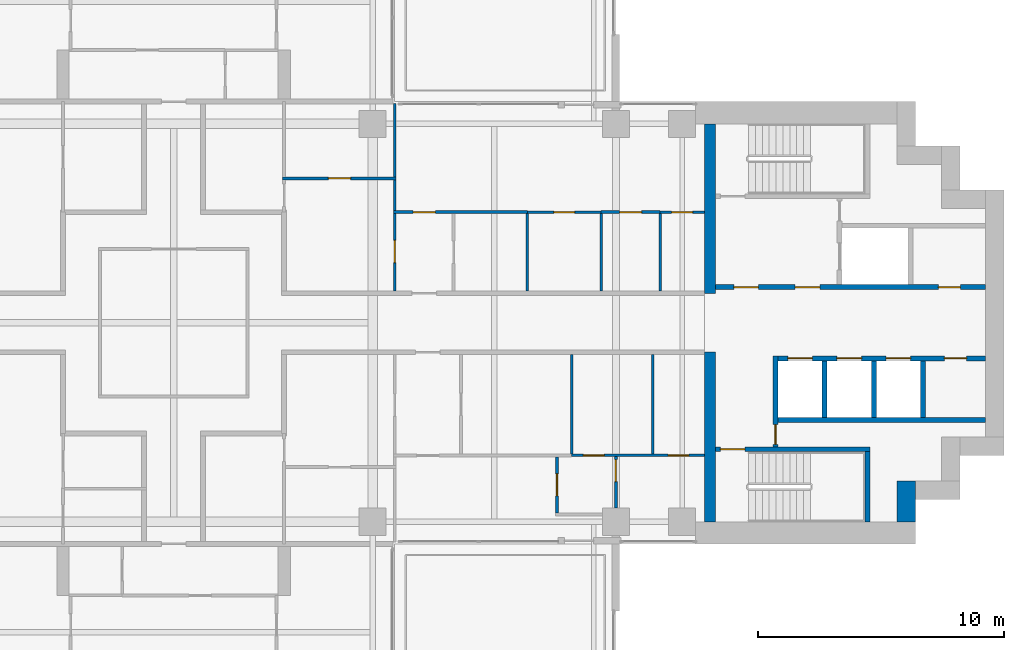
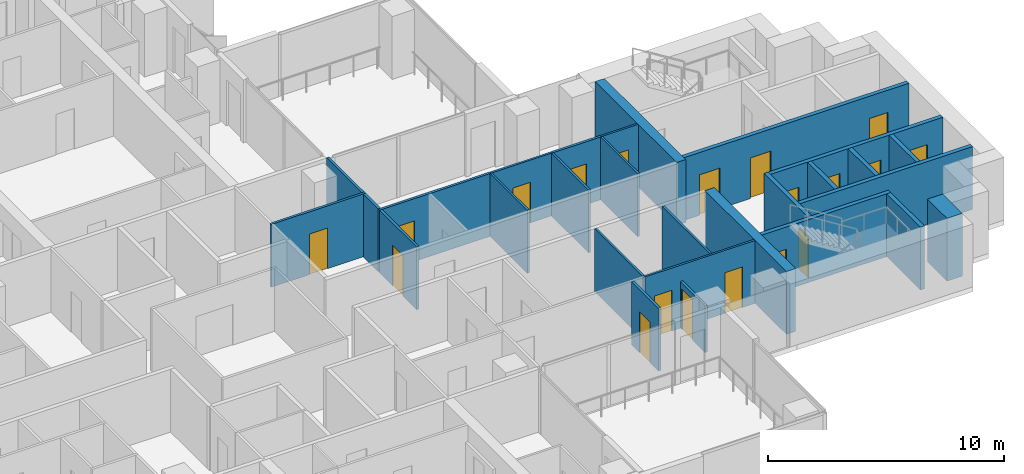
# One storey, part 12 of 19: 26 walls, 19 doors, 19 openings.
"""IFC4 building model written with IfcOpenShell, lengths in metres."""

from ifc_helpers import new_model, si_unit, direction, frame, frame_2d, origin, place, context, subcontext, project, spatial, rectangle, extrude, material, layer, layer_set, type_object, element, fill, save


model = new_model("IFC4")

# Units and contexts
model_context = context("Model", 3, precision=1e-05, world=origin(), true_north=direction((0.0, 1.0)))
body_context = subcontext(model_context, "Body", "Model", "MODEL_VIEW")
ifc_project = project(units=[si_unit("LENGTHUNIT", "METRE"), si_unit("AREAUNIT", "SQUARE_METRE"), si_unit("VOLUMEUNIT", "CUBIC_METRE"), si_unit("PLANEANGLEUNIT", "RADIAN"), si_unit("MASSUNIT", "GRAM", prefix="KILO")], contexts=[model_context])

# Site, building, storey
site_placement = place(None, origin())
site = spatial("IfcSite", under=ifc_project, at=site_placement, CompositionType="ELEMENT")
building_placement = place(site_placement, origin())
building = spatial("IfcBuilding", under=site, at=building_placement, Name="Perihelion Cross Residences", CompositionType="ELEMENT")
storey_placement = place(building_placement, frame((0.0, 0.0, 112.89990234375)))
storey = spatial("IfcBuildingStorey", under=building, at=storey_placement, Name="L26", CompositionType="ELEMENT", Elevation=112.89990234375)

# Walls
ifc_material_1 = material(Name="Concrete C60/75", Category="concrete")
ifc_layer_1 = layer(ifc_material_1, 0.449951171875)
ifc_layer_set_1 = layer_set([ifc_layer_1], Name="Core wall, inner 450")
wall_type_1 = type_object("IfcWallType", Name="Core wall, inner 450", PredefinedType="SHEAR", material=ifc_layer_set_1)
for number, where, z_axis, x_axis, name in (
    (1, (21.824951171875, -8.10009765625, 0.0), (0.0, 0.0, 1.0), (0.0, 1.0, 0.0), "East core core wall, inner"),
    (2, (21.824951171875, 1.199951171875, 0.0), (0.0, 0.0, 1.0), (0.0, 1.0, 0.0), "East core core wall, inner"),
):
    element("IfcWall", number, at=place(storey_placement, frame(where, z_axis=z_axis, x_axis=x_axis)), inside=storey, type_object=wall_type_1, Name=name, PredefinedType="SHEAR", context=body_context, shape_type="SweptSolid", body=[
        extrude(rectangle(XDim=6.900146484375, YDim=0.449951171875, at=frame_2d((3.4501953125, 0.0))), origin(), (0.0, 0.0, 1.0), 3.25),
    ])
ifc_material_2 = material(Name="Concrete C60/75", Category="concrete")
ifc_layer_2 = layer(ifc_material_2, 0.75)
ifc_layer_set_2 = layer_set([ifc_layer_2], Name="Core wall, outer 750")
wall_type_2 = type_object("IfcWallType", Name="Core wall, outer 750", PredefinedType="SHEAR", material=ifc_layer_set_2)
wall_1_placement = place(storey_placement, frame((29.824951171875, -8.10009765625, 0.0), z_axis=(0.0, 0.0, 1.0), x_axis=(0.0, 1.0, 0.0)))
element("IfcWall", 3, at=wall_1_placement, inside=storey, type_object=wall_type_2, Name="East core core wall, outer", PredefinedType="SHEAR", context=body_context, shape_type="SweptSolid", body=[
    extrude(rectangle(XDim=1.650146484375, YDim=0.75, at=frame_2d((0.8251953125, 0.0))), origin(), (0.0, 0.0, 1.0), 3.25),
])

# Wall, opening, door
ifc_material_3 = material(Name="Concrete C50/60", Category="concrete")
ifc_layer_3 = layer(ifc_material_3, 0.199951171875)
ifc_layer_set_3 = layer_set([ifc_layer_3], Name="Lobby wall 200")
wall_type_3 = type_object("IfcWallType", Name="Lobby wall 200", PredefinedType="SOLIDWALL", material=ifc_layer_set_3)
wall_2_placement = place(storey_placement, frame((24.5, -5.050048828125, 0.0), z_axis=(0.0, 0.0, 1.0), x_axis=(0.0, 1.0, 0.0)))
wall_2 = element("IfcWall", 4, at=wall_2_placement, inside=storey, type_object=wall_type_3, Name="East core lobby wall", PredefinedType="SOLIDWALL", context=body_context, shape_type="SweptSolid", body=[
    extrude(rectangle(XDim=3.699951171875, YDim=0.199951171875, at=frame_2d((1.85009765625, 0.0))), origin(), (0.0, 0.0, 1.0), 3.25),
])
opening_1_placement = place(wall_2_placement, frame((0.10009765625, 0.0, 0.0)))
opening_1 = element("IfcOpeningElement", 5, at=opening_1_placement, cuts=wall_2, Name="Opening L26.C08", PredefinedType="OPENING", context=body_context, shape_type="SweptSolid", body=[
    extrude(rectangle(XDim=0.800048828125, YDim=2.10009765625, at=frame_2d((0.39990234375, 1.050048828125))), frame((0.0, 0.10986328125, 0.0), z_axis=(0.0, -1.0, 0.0), x_axis=(1.0, 0.0, 0.0)), (0.0, 0.0, 1.0), 0.219970703125),
])
ifc_material_4 = material(Name="Steel, powder coated", Category="steel")
door_type_1 = type_object("IfcDoorType", Name="Riser door 800", OperationType="SINGLE_SWING_LEFT", PredefinedType="DOOR", material=ifc_material_4)
door_1_placement = place(opening_1_placement, origin())
door_1 = element("IfcDoor", 6, at=door_1_placement, inside=storey, type_object=door_type_1, Name="East core riser door", OperationType="SINGLE_SWING_LEFT", OverallHeight=2.10009765625, OverallWidth=0.800048828125, PredefinedType="DOOR", context=body_context, shape_type="SweptSolid", body=[
    extrude(rectangle(XDim=0.800048828125, YDim=2.10009765625, at=frame_2d((0.39990234375, 1.050048828125))), frame((0.0, 0.02490234375, 0.0), z_axis=(0.0, -1.0, 0.0), x_axis=(1.0, 0.0, 0.0)), (0.0, 0.0, 1.0), 0.050048828125),
])
fill(opening_1, door_1)

ifc_material_5 = material(Name="Plasterboard partition")
ifc_layer_4 = layer(ifc_material_5, 0.1201171875)
ifc_layer_set_4 = layer_set([ifc_layer_4], Name="Partition wall 120")
wall_type_4 = type_object("IfcWallType", Name="Partition wall 120", PredefinedType="PARTITIONING", material=ifc_layer_set_4)
wall_3_placement = place(storey_placement, frame((8.93994140625, 4.5, 0.0), z_axis=(0.0, 0.0, 1.0), x_axis=(1.0, 0.0, 0.0)))
wall_3 = element("IfcWall", 7, at=wall_3_placement, inside=storey, type_object=wall_type_4, Name="Partition L26 W024", PredefinedType="PARTITIONING", context=body_context, shape_type="SweptSolid", body=[
    extrude(rectangle(XDim=5.4599609375, YDim=0.1201171875, at=frame_2d((2.72998046875, 0.0))), origin(), (0.0, 0.0, 1.0), 3.25),
])
opening_2_placement = place(wall_3_placement, frame((0.81005859375, 0.0, 0.0)))
opening_2 = element("IfcOpeningElement", 8, at=opening_2_placement, cuts=wall_3, Name="Opening L26.A08", PredefinedType="OPENING", context=body_context, shape_type="SweptSolid", body=[
    extrude(rectangle(XDim=0.89990234375, YDim=2.10009765625, at=frame_2d((0.449951171875, 1.050048828125))), frame((0.0, 0.070068359375, 0.0), z_axis=(0.0, -1.0, 0.0), x_axis=(1.0, 0.0, 0.0)), (0.0, 0.0, 1.0), 0.14013671875),
])
ifc_material_6 = material(Name="Timber door leaf", Category="wood")
door_type_2 = type_object("IfcDoorType", Name="Interior room door 900 x 2100", OperationType="SINGLE_SWING_LEFT", PredefinedType="DOOR", material=ifc_material_6)
door_2_placement = place(opening_2_placement, origin())
door_2 = element("IfcDoor", 9, at=door_2_placement, inside=storey, type_object=door_type_2, Name="Door L26.A08", OperationType="SINGLE_SWING_RIGHT", OverallHeight=2.10009765625, OverallWidth=0.89990234375, PredefinedType="DOOR", context=body_context, shape_type="SweptSolid", body=[
    extrude(rectangle(XDim=0.89990234375, YDim=2.10009765625, at=frame_2d((0.449951171875, 1.050048828125))), frame((0.0, 0.02490234375, 0.0), z_axis=(0.0, -1.0, 0.0), x_axis=(1.0, 0.0, 0.0)), (0.0, 0.0, 1.0), 0.050048828125),
])
fill(opening_2, door_2)

wall_4_placement = place(storey_placement, frame((9.0, 1.300048828125, 0.0), z_axis=(0.0, 0.0, 1.0), x_axis=(0.0, 1.0, 0.0)))
wall_4 = element("IfcWall", 10, at=wall_4_placement, inside=storey, type_object=wall_type_4, Name="Partition L26 W025", PredefinedType="PARTITIONING", context=body_context, shape_type="SweptSolid", body=[
    extrude(rectangle(XDim=7.619873046875, YDim=0.1201171875, at=frame_2d((3.81005859375, 0.0))), origin(), (0.0, 0.0, 1.0), 3.25),
])
opening_3_placement = place(wall_4_placement, frame((1.14990234375, 0.0, 0.0)))
opening_3 = element("IfcOpeningElement", 11, at=opening_3_placement, cuts=wall_4, Name="Opening L26.A04", PredefinedType="OPENING", context=body_context, shape_type="SweptSolid", body=[
    extrude(rectangle(XDim=0.89990234375, YDim=2.10009765625, at=frame_2d((0.449951171875, 1.050048828125))), frame((0.0, 0.070068359375, 0.0), z_axis=(0.0, -1.0, 0.0), x_axis=(1.0, 0.0, 0.0)), (0.0, 0.0, 1.0), 0.14013671875),
])
door_3_placement = place(opening_3_placement, origin())
door_3 = element("IfcDoor", 12, at=door_3_placement, inside=storey, type_object=door_type_2, Name="Door L26.A04", OperationType="SINGLE_SWING_RIGHT", OverallHeight=2.10009765625, OverallWidth=0.89990234375, PredefinedType="DOOR", context=body_context, shape_type="SweptSolid", body=[
    extrude(rectangle(XDim=0.89990234375, YDim=2.10009765625, at=frame_2d((0.449951171875, 1.050048828125))), frame((0.0, 0.02490234375, 0.0), z_axis=(0.0, -1.0, 0.0), x_axis=(1.0, 0.0, 0.0)), (0.0, 0.0, 1.0), 0.050048828125),
])
fill(opening_3, door_3)

wall_5_placement = place(storey_placement, frame((17.39990234375, 4.5, 0.0), z_axis=(0.0, 0.0, 1.0), x_axis=(1.0, 0.0, 0.0)))
wall_5 = element("IfcWall", 13, at=wall_5_placement, inside=storey, type_object=wall_type_4, Name="Partition L26 W030", PredefinedType="PARTITIONING", context=body_context, shape_type="SweptSolid", body=[
    extrude(rectangle(XDim=2.400146484375, YDim=0.1201171875, at=frame_2d((1.2001953125, 0.0))), origin(), (0.0, 0.0, 1.0), 3.25),
])
opening_4_placement = place(wall_5_placement, frame((0.75, 0.0, 0.0)))
opening_4 = element("IfcOpeningElement", 14, at=opening_4_placement, cuts=wall_5, Name="Opening L26.A09", PredefinedType="OPENING", context=body_context, shape_type="SweptSolid", body=[
    extrude(rectangle(XDim=0.89990234375, YDim=2.10009765625, at=frame_2d((0.449951171875, 1.050048828125))), frame((0.0, 0.070068359375, 0.0), z_axis=(0.0, -1.0, 0.0), x_axis=(1.0, 0.0, 0.0)), (0.0, 0.0, 1.0), 0.14013671875),
])
door_4_placement = place(opening_4_placement, origin())
door_4 = element("IfcDoor", 15, at=door_4_placement, inside=storey, type_object=door_type_2, Name="Door L26.A09", OperationType="SINGLE_SWING_RIGHT", OverallHeight=2.10009765625, OverallWidth=0.89990234375, PredefinedType="DOOR", context=body_context, shape_type="SweptSolid", body=[
    extrude(rectangle(XDim=0.89990234375, YDim=2.10009765625, at=frame_2d((0.449951171875, 1.050048828125))), frame((0.0, 0.02490234375, 0.0), z_axis=(0.0, -1.0, 0.0), x_axis=(1.0, 0.0, 0.0)), (0.0, 0.0, 1.0), 0.050048828125),
])
fill(opening_4, door_4)

wall_6_placement = place(storey_placement, frame((4.43994140625, 5.8798828125, 0.0), z_axis=(0.0, 0.0, 1.0), x_axis=(1.0, 0.0, 0.0)))
wall_6 = element("IfcWall", 16, at=wall_6_placement, inside=storey, type_object=wall_type_4, Name="Partition L26 W032", PredefinedType="PARTITIONING", context=body_context, shape_type="SweptSolid", body=[
    extrude(rectangle(XDim=4.6201171875, YDim=0.1201171875, at=frame_2d((2.31005859375, 0.0))), origin(), (0.0, 0.0, 1.0), 3.25),
])
opening_5_placement = place(wall_6_placement, frame((1.860107421875, 0.0, 0.0)))
opening_5 = element("IfcOpeningElement", 17, at=opening_5_placement, cuts=wall_6, Name="Opening L26.A06", PredefinedType="OPENING", context=body_context, shape_type="SweptSolid", body=[
    extrude(rectangle(XDim=0.89990234375, YDim=2.10009765625, at=frame_2d((0.449951171875, 1.050048828125))), frame((0.0, 0.070068359375, 0.0), z_axis=(0.0, -1.0, 0.0), x_axis=(1.0, 0.0, 0.0)), (0.0, 0.0, 1.0), 0.14013671875),
])
door_5_placement = place(opening_5_placement, origin())
door_5 = element("IfcDoor", 18, at=door_5_placement, inside=storey, type_object=door_type_2, Name="Door L26.A06", OperationType="SINGLE_SWING_RIGHT", OverallHeight=2.10009765625, OverallWidth=0.89990234375, PredefinedType="DOOR", context=body_context, shape_type="SweptSolid", body=[
    extrude(rectangle(XDim=0.89990234375, YDim=2.10009765625, at=frame_2d((0.449951171875, 1.050048828125))), frame((0.0, 0.02490234375, 0.0), z_axis=(0.0, -1.0, 0.0), x_axis=(1.0, 0.0, 0.0)), (0.0, 0.0, 1.0), 0.050048828125),
])
fill(opening_5, door_5)

wall_7_placement = place(storey_placement, frame((15.60009765625, -5.4599609375, 0.0), z_axis=(0.0, 0.0, 1.0), x_axis=(0.0, -1.0, 0.0)))
wall_7 = element("IfcWall", 19, at=wall_7_placement, inside=storey, type_object=wall_type_4, Name="Partition L26 W040", PredefinedType="PARTITIONING", context=body_context, shape_type="SweptSolid", body=[
    extrude(rectangle(XDim=2.280029296875, YDim=0.1201171875, at=frame_2d((1.14013671875, 0.0))), origin(), (0.0, 0.0, 1.0), 3.25),
])
opening_6_placement = place(wall_7_placement, frame((0.68994140625, 0.0, 0.0)))
opening_6 = element("IfcOpeningElement", 20, at=opening_6_placement, cuts=wall_7, Name="Opening L26.A13", PredefinedType="OPENING", context=body_context, shape_type="SweptSolid", body=[
    extrude(rectangle(XDim=0.89990234375, YDim=2.10009765625, at=frame_2d((0.449951171875, 1.050048828125))), frame((0.0, 0.070068359375, 0.0), z_axis=(0.0, -1.0, 0.0), x_axis=(1.0, 0.0, 0.0)), (0.0, 0.0, 1.0), 0.14013671875),
])
door_6_placement = place(opening_6_placement, origin())
door_6 = element("IfcDoor", 21, at=door_6_placement, inside=storey, type_object=door_type_2, Name="Door L26.A13", OperationType="SINGLE_SWING_LEFT", OverallHeight=2.10009765625, OverallWidth=0.89990234375, PredefinedType="DOOR", context=body_context, shape_type="SweptSolid", body=[
    extrude(rectangle(XDim=0.89990234375, YDim=2.10009765625, at=frame_2d((0.449951171875, 1.050048828125))), frame((0.0, 0.02490234375, 0.0), z_axis=(0.0, -1.0, 0.0), x_axis=(1.0, 0.0, 0.0)), (0.0, 0.0, 1.0), 0.050048828125),
])
fill(opening_6, door_6)

wall_8_placement = place(storey_placement, frame((18.0, -5.449951171875, 0.0), z_axis=(0.0, 0.0, 1.0), x_axis=(0.0, -1.0, 0.0)))
wall_8 = element("IfcWall", 22, at=wall_8_placement, inside=storey, type_object=wall_type_4, Name="Partition L26 W042", PredefinedType="PARTITIONING", context=body_context, shape_type="SweptSolid", body=[
    extrude(rectangle(XDim=2.10009765625, YDim=0.1201171875, at=frame_2d((1.050048828125, 0.0))), origin(), (0.0, 0.0, 1.0), 2.4140625),
])
opening_7_placement = place(wall_8_placement, frame((0.1201171875, 0.0, 0.0)))
opening_7 = element("IfcOpeningElement", 23, at=opening_7_placement, cuts=wall_8, Name="Opening L26.A16", PredefinedType="OPENING", context=body_context, shape_type="SweptSolid", body=[
    extrude(rectangle(XDim=0.89990234375, YDim=2.10009765625, at=frame_2d((0.449951171875, 1.050048828125))), frame((0.0, 0.070068359375, 0.0), z_axis=(0.0, -1.0, 0.0), x_axis=(1.0, 0.0, 0.0)), (0.0, 0.0, 1.0), 0.14013671875),
])
door_7_placement = place(opening_7_placement, origin())
door_7 = element("IfcDoor", 24, at=door_7_placement, inside=storey, type_object=door_type_2, Name="Door L26.A16", OperationType="SINGLE_SWING_LEFT", OverallHeight=2.10009765625, OverallWidth=0.89990234375, PredefinedType="DOOR", context=body_context, shape_type="SweptSolid", body=[
    extrude(rectangle(XDim=0.89990234375, YDim=2.10009765625, at=frame_2d((0.449951171875, 1.050048828125))), frame((0.0, 0.02490234375, 0.0), z_axis=(0.0, -1.0, 0.0), x_axis=(1.0, 0.0, 0.0)), (0.0, 0.0, 1.0), 0.050048828125),
])
fill(opening_7, door_7)

# Wall, openings, doors
ifc_material_7 = material(Name="Concrete C50/60", Category="concrete")
ifc_layer_5 = layer(ifc_material_7, 0.199951171875)
ifc_layer_set_5 = layer_set([ifc_layer_5], Name="Shaft wall 200")
wall_type_5 = type_object("IfcWallType", Name="Shaft wall 200", PredefinedType="SOLIDWALL", material=ifc_layer_set_5)
wall_9_placement = place(storey_placement, frame((22.050048828125, 1.449951171875, 0.0), z_axis=(0.0, 0.0, 1.0), x_axis=(1.0, 0.0, 0.0)))
wall_9 = element("IfcWall", 25, at=wall_9_placement, inside=storey, type_object=wall_type_5, Name="East core shaft wall", PredefinedType="SOLIDWALL", context=body_context, shape_type="SweptSolid", body=[
    extrude(rectangle(XDim=11.0, YDim=0.199951171875, at=frame_2d((5.5, 0.0))), origin(), (0.0, 0.0, 1.0), 3.25),
])
opening_8_placement = place(wall_9_placement, frame((0.75, 0.0, 0.0)))
opening_8 = element("IfcOpeningElement", 26, at=opening_8_placement, cuts=wall_9, Name="Opening L26.C07", PredefinedType="OPENING", context=body_context, shape_type="SweptSolid", body=[
    extrude(rectangle(XDim=1.0, YDim=2.10009765625, at=frame_2d((0.5, 1.050048828125))), frame((0.0, 0.10986328125, 0.0), z_axis=(0.0, -1.0, 0.0), x_axis=(1.0, 0.0, 0.0)), (0.0, 0.0, 1.0), 0.219970703125),
])
opening_9_placement = place(wall_9_placement, frame((3.25, 0.0, 0.0)))
opening_9 = element("IfcOpeningElement", 27, at=opening_9_placement, cuts=wall_9, Name="Opening L26.C09", PredefinedType="OPENING", context=body_context, shape_type="SweptSolid", body=[
    extrude(rectangle(XDim=1.0, YDim=2.10009765625, at=frame_2d((0.5, 1.050048828125))), frame((0.0, 0.10986328125, 0.0), z_axis=(0.0, -1.0, 0.0), x_axis=(1.0, 0.0, 0.0)), (0.0, 0.0, 1.0), 0.219970703125),
])
opening_10_placement = place(wall_9_placement, frame((9.074951171875, 0.0, 0.0)))
opening_10 = element("IfcOpeningElement", 28, at=opening_10_placement, cuts=wall_9, Name="Opening L26.C11", PredefinedType="OPENING", context=body_context, shape_type="SweptSolid", body=[
    extrude(rectangle(XDim=0.89990234375, YDim=2.10009765625, at=frame_2d((0.449951171875, 1.050048828125))), frame((0.0, 0.10986328125, 0.0), z_axis=(0.0, -1.0, 0.0), x_axis=(1.0, 0.0, 0.0)), (0.0, 0.0, 1.0), 0.219970703125),
])
ifc_material_8 = material(Name="Steel, powder coated", Category="steel")
door_type_3 = type_object("IfcDoorType", Name="Lobby door 1000", OperationType="SINGLE_SWING_LEFT", PredefinedType="DOOR", material=ifc_material_8)
door_8_placement = place(opening_8_placement, origin())
door_8 = element("IfcDoor", 29, at=door_8_placement, inside=storey, type_object=door_type_3, Name="East core firefighting lobby door", OperationType="SINGLE_SWING_LEFT", OverallHeight=2.10009765625, OverallWidth=1.0, PredefinedType="DOOR", context=body_context, shape_type="SweptSolid", body=[
    extrude(rectangle(XDim=1.0, YDim=2.10009765625, at=frame_2d((0.5, 1.050048828125))), frame((0.0, 0.02490234375, 0.0), z_axis=(0.0, -1.0, 0.0), x_axis=(1.0, 0.0, 0.0)), (0.0, 0.0, 1.0), 0.050048828125),
])
fill(opening_8, door_8)
door_9_placement = place(opening_9_placement, origin())
door_9 = element("IfcDoor", 30, at=door_9_placement, inside=storey, type_object=door_type_3, Name="East core firefighting lobby door", OperationType="SINGLE_SWING_LEFT", OverallHeight=2.10009765625, OverallWidth=1.0, PredefinedType="DOOR", context=body_context, shape_type="SweptSolid", body=[
    extrude(rectangle(XDim=1.0, YDim=2.10009765625, at=frame_2d((0.5, 1.050048828125))), frame((0.0, 0.02490234375, 0.0), z_axis=(0.0, -1.0, 0.0), x_axis=(1.0, 0.0, 0.0)), (0.0, 0.0, 1.0), 0.050048828125),
])
fill(opening_9, door_9)
ifc_material_9 = material(Name="Steel, powder coated", Category="steel")
door_type_4 = type_object("IfcDoorType", Name="Service room door 900", OperationType="SINGLE_SWING_LEFT", PredefinedType="DOOR", material=ifc_material_9)
door_10_placement = place(opening_10_placement, origin())
door_10 = element("IfcDoor", 31, at=door_10_placement, inside=storey, type_object=door_type_4, Name="East core service room door", OperationType="SINGLE_SWING_LEFT", OverallHeight=2.10009765625, OverallWidth=0.89990234375, PredefinedType="DOOR", context=body_context, shape_type="SweptSolid", body=[
    extrude(rectangle(XDim=0.89990234375, YDim=2.10009765625, at=frame_2d((0.449951171875, 1.050048828125))), frame((0.0, 0.02490234375, 0.0), z_axis=(0.0, -1.0, 0.0), x_axis=(1.0, 0.0, 0.0)), (0.0, 0.0, 1.0), 0.050048828125),
])
fill(opening_10, door_10)

wall_10_placement = place(storey_placement, frame((24.60009765625, -1.449951171875, 0.0), z_axis=(0.0, 0.0, 1.0), x_axis=(1.0, 0.0, 0.0)))
wall_10 = element("IfcWall", 32, at=wall_10_placement, inside=storey, type_object=wall_type_5, Name="East core shaft wall", PredefinedType="SOLIDWALL", context=body_context, shape_type="SweptSolid", body=[
    extrude(rectangle(XDim=8.449951171875, YDim=0.199951171875, at=frame_2d((4.22509765625, 0.0))), origin(), (0.0, 0.0, 1.0), 3.25),
])
opening_11_placement = place(wall_10_placement, frame((0.39990234375, 0.0, 0.0)))
opening_11 = element("IfcOpeningElement", 33, at=opening_11_placement, cuts=wall_10, Name="Opening L26.C01", PredefinedType="OPENING", context=body_context, shape_type="SweptSolid", body=[
    extrude(rectangle(XDim=1.0, YDim=2.10009765625, at=frame_2d((0.5, 1.050048828125))), frame((0.0, 0.10986328125, 0.0), z_axis=(0.0, -1.0, 0.0), x_axis=(1.0, 0.0, 0.0)), (0.0, 0.0, 1.0), 0.219970703125),
])
opening_12_placement = place(wall_10_placement, frame((2.39990234375, 0.0, 0.0)))
opening_12 = element("IfcOpeningElement", 34, at=opening_12_placement, cuts=wall_10, Name="Opening L26.C03", PredefinedType="OPENING", context=body_context, shape_type="SweptSolid", body=[
    extrude(rectangle(XDim=1.0, YDim=2.10009765625, at=frame_2d((0.5, 1.050048828125))), frame((0.0, 0.10986328125, 0.0), z_axis=(0.0, -1.0, 0.0), x_axis=(1.0, 0.0, 0.0)), (0.0, 0.0, 1.0), 0.219970703125),
])
opening_13_placement = place(wall_10_placement, frame((4.39990234375, 0.0, 0.0)))
opening_13 = element("IfcOpeningElement", 35, at=opening_13_placement, cuts=wall_10, Name="Opening L26.C04", PredefinedType="OPENING", context=body_context, shape_type="SweptSolid", body=[
    extrude(rectangle(XDim=1.0, YDim=2.10009765625, at=frame_2d((0.5, 1.050048828125))), frame((0.0, 0.10986328125, 0.0), z_axis=(0.0, -1.0, 0.0), x_axis=(1.0, 0.0, 0.0)), (0.0, 0.0, 1.0), 0.219970703125),
])
opening_14_placement = place(wall_10_placement, frame((6.77490234375, 0.0, 0.0)))
opening_14 = element("IfcOpeningElement", 36, at=opening_14_placement, cuts=wall_10, Name="Opening L26.C12", PredefinedType="OPENING", context=body_context, shape_type="SweptSolid", body=[
    extrude(rectangle(XDim=0.89990234375, YDim=2.10009765625, at=frame_2d((0.449951171875, 1.050048828125))), frame((0.0, 0.10986328125, 0.0), z_axis=(0.0, -1.0, 0.0), x_axis=(1.0, 0.0, 0.0)), (0.0, 0.0, 1.0), 0.219970703125),
])
ifc_material_10 = material(Name="Stainless steel", Category="steel")
door_type_5 = type_object("IfcDoorType", Name="Landing door 1000", OperationType="DOUBLE_DOOR_SLIDING", PredefinedType="DOOR", material=ifc_material_10)
door_11_placement = place(opening_11_placement, origin())
door_11 = element("IfcDoor", 37, at=door_11_placement, inside=storey, type_object=door_type_5, Name="Landing door, East core high-rise lift 1", OperationType="DOUBLE_DOOR_SLIDING", OverallHeight=2.10009765625, OverallWidth=1.0, PredefinedType="DOOR", context=body_context, shape_type="SweptSolid", body=[
    extrude(rectangle(XDim=1.0, YDim=2.10009765625, at=frame_2d((0.5, 1.050048828125))), frame((0.0, 0.02490234375, 0.0), z_axis=(0.0, -1.0, 0.0), x_axis=(1.0, 0.0, 0.0)), (0.0, 0.0, 1.0), 0.050048828125),
])
fill(opening_11, door_11)
door_12_placement = place(opening_12_placement, origin())
door_12 = element("IfcDoor", 38, at=door_12_placement, inside=storey, type_object=door_type_5, Name="Landing door, East core high-rise lift 2", OperationType="DOUBLE_DOOR_SLIDING", OverallHeight=2.10009765625, OverallWidth=1.0, PredefinedType="DOOR", context=body_context, shape_type="SweptSolid", body=[
    extrude(rectangle(XDim=1.0, YDim=2.10009765625, at=frame_2d((0.5, 1.050048828125))), frame((0.0, 0.02490234375, 0.0), z_axis=(0.0, -1.0, 0.0), x_axis=(1.0, 0.0, 0.0)), (0.0, 0.0, 1.0), 0.050048828125),
])
fill(opening_12, door_12)
door_13_placement = place(opening_13_placement, origin())
door_13 = element("IfcDoor", 39, at=door_13_placement, inside=storey, type_object=door_type_5, Name="Landing door, East core high-rise lift 3", OperationType="DOUBLE_DOOR_SLIDING", OverallHeight=2.10009765625, OverallWidth=1.0, PredefinedType="DOOR", context=body_context, shape_type="SweptSolid", body=[
    extrude(rectangle(XDim=1.0, YDim=2.10009765625, at=frame_2d((0.5, 1.050048828125))), frame((0.0, 0.02490234375, 0.0), z_axis=(0.0, -1.0, 0.0), x_axis=(1.0, 0.0, 0.0)), (0.0, 0.0, 1.0), 0.050048828125),
])
fill(opening_13, door_13)
door_14_placement = place(opening_14_placement, origin())
door_14 = element("IfcDoor", 40, at=door_14_placement, inside=storey, type_object=door_type_4, Name="East core service room door", OperationType="SINGLE_SWING_LEFT", OverallHeight=2.10009765625, OverallWidth=0.89990234375, PredefinedType="DOOR", context=body_context, shape_type="SweptSolid", body=[
    extrude(rectangle(XDim=0.89990234375, YDim=2.10009765625, at=frame_2d((0.449951171875, 1.050048828125))), frame((0.0, 0.02490234375, 0.0), z_axis=(0.0, -1.0, 0.0), x_axis=(1.0, 0.0, 0.0)), (0.0, 0.0, 1.0), 0.050048828125),
])
fill(opening_14, door_14)

# Walls
wall_11_placement = place(storey_placement, frame((24.60009765625, -3.949951171875, 0.0), z_axis=(0.0, 0.0, 1.0), x_axis=(1.0, 0.0, 0.0)))
element("IfcWall", 41, at=wall_11_placement, inside=storey, type_object=wall_type_5, Name="East core shaft wall", PredefinedType="SOLIDWALL", context=body_context, shape_type="SweptSolid", body=[
    extrude(rectangle(XDim=8.449951171875, YDim=0.199951171875, at=frame_2d((4.22509765625, 0.0))), origin(), (0.0, 0.0, 1.0), 3.25),
])
for number, where, z_axis, x_axis, name in (
    (42, (26.5, -3.85009765625, 0.0), (0.0, 0.0, 1.0), (0.0, 1.0, 0.0), "East core shaft wall"),
    (43, (28.5, -3.85009765625, 0.0), (0.0, 0.0, 1.0), (0.0, 1.0, 0.0), "East core shaft wall"),
    (44, (30.5, -3.85009765625, 0.0), (0.0, 0.0, 1.0), (0.0, 1.0, 0.0), "East core shaft wall"),
):
    element("IfcWall", number, at=place(storey_placement, frame(where, z_axis=z_axis, x_axis=x_axis)), inside=storey, type_object=wall_type_5, Name=name, PredefinedType="SOLIDWALL", context=body_context, shape_type="SweptSolid", body=[
        extrude(rectangle(XDim=2.300048828125, YDim=0.199951171875, at=frame_2d((1.14990234375, 0.0))), origin(), (0.0, 0.0, 1.0), 3.25),
    ])

# Wall, opening, door
ifc_material_11 = material(Name="Concrete C50/60", Category="concrete")
ifc_layer_6 = layer(ifc_material_11, 0.199951171875)
ifc_layer_set_6 = layer_set([ifc_layer_6], Name="Stair wall 200")
wall_type_6 = type_object("IfcWallType", Name="Stair wall 200", PredefinedType="SOLIDWALL", material=ifc_layer_set_6)
wall_12_placement = place(storey_placement, frame((22.050048828125, -5.14990234375, 0.0), z_axis=(0.0, 0.0, 1.0), x_axis=(1.0, 0.0, 0.0)))
wall_12 = element("IfcWall", 45, at=wall_12_placement, inside=storey, type_object=wall_type_6, Name="East core stair wall", PredefinedType="SOLIDWALL", context=body_context, shape_type="SweptSolid", body=[
    extrude(rectangle(XDim=6.300048828125, YDim=0.199951171875, at=frame_2d((3.14990234375, 0.0))), origin(), (0.0, 0.0, 1.0), 3.25),
])
opening_15_placement = place(wall_12_placement, frame((0.199951171875, 0.0, 0.0)))
opening_15 = element("IfcOpeningElement", 46, at=opening_15_placement, cuts=wall_12, Name="Opening L26.C05", PredefinedType="OPENING", context=body_context, shape_type="SweptSolid", body=[
    extrude(rectangle(XDim=1.0, YDim=2.10009765625, at=frame_2d((0.5, 1.050048828125))), frame((0.0, 0.10986328125, 0.0), z_axis=(0.0, -1.0, 0.0), x_axis=(1.0, 0.0, 0.0)), (0.0, 0.0, 1.0), 0.219970703125),
])
ifc_material_12 = material(Name="Steel, powder coated", Category="steel")
door_type_6 = type_object("IfcDoorType", Name="Stair door 1000", OperationType="SINGLE_SWING_LEFT", PredefinedType="DOOR", material=ifc_material_12)
door_15_placement = place(opening_15_placement, origin())
door_15 = element("IfcDoor", 47, at=door_15_placement, inside=storey, type_object=door_type_6, Name="East core stair door", OperationType="SINGLE_SWING_LEFT", OverallHeight=2.10009765625, OverallWidth=1.0, PredefinedType="DOOR", context=body_context, shape_type="SweptSolid", body=[
    extrude(rectangle(XDim=1.0, YDim=2.10009765625, at=frame_2d((0.5, 1.050048828125))), frame((0.0, 0.02490234375, 0.0), z_axis=(0.0, -1.0, 0.0), x_axis=(1.0, 0.0, 0.0)), (0.0, 0.0, 1.0), 0.050048828125),
])
fill(opening_15, door_15)

# Walls
wall_13_placement = place(storey_placement, frame((28.25, -8.10009765625, 0.0), z_axis=(0.0, 0.0, 1.0), x_axis=(0.0, 1.0, 0.0)))
element("IfcWall", 48, at=wall_13_placement, inside=storey, type_object=wall_type_6, Name="East core stair wall", PredefinedType="SOLIDWALL", context=body_context, shape_type="SweptSolid", body=[
    extrude(rectangle(XDim=2.85009765625, YDim=0.199951171875, at=frame_2d((1.425048828125, 0.0))), origin(), (0.0, 0.0, 1.0), 3.25),
])
ifc_material_13 = material(Name="Plasterboard partition")
ifc_layer_7 = layer(ifc_material_13, 0.10009765625)
ifc_layer_set_7 = layer_set([ifc_layer_7], Name="Wet room wall 100")
wall_type_7 = type_object("IfcWallType", Name="Wet room wall 100", PredefinedType="PARTITIONING", material=ifc_layer_set_7)
for number, where, z_axis, x_axis, name in (
    (49, (14.39990234375, 4.43994140625, 0.0), (0.0, 0.0, 1.0), (0.0, -1.0, 0.0), "Partition L26 W026"),
    (50, (17.39990234375, 4.43994140625, 0.0), (0.0, 0.0, 1.0), (0.0, -1.0, 0.0), "Partition L26 W027"),
):
    element("IfcWall", number, at=place(storey_placement, frame(where, z_axis=z_axis, x_axis=x_axis)), inside=storey, type_object=wall_type_7, Name=name, PredefinedType="PARTITIONING", context=body_context, shape_type="SweptSolid", body=[
        extrude(rectangle(XDim=3.139892578125, YDim=0.10009765625, at=frame_2d((1.56982421875, 0.0))), origin(), (0.0, 0.0, 1.0), 3.25),
    ])

# Wall, opening, door
wall_14_placement = place(storey_placement, frame((14.39990234375, 4.5, 0.0), z_axis=(0.0, 0.0, 1.0), x_axis=(1.0, 0.0, 0.0)))
wall_14 = element("IfcWall", 51, at=wall_14_placement, inside=storey, type_object=wall_type_7, Name="Partition L26 W028", PredefinedType="PARTITIONING", context=body_context, shape_type="SweptSolid", body=[
    extrude(rectangle(XDim=3.0, YDim=0.10009765625, at=frame_2d((1.5, 0.0))), origin(), (0.0, 0.0, 1.0), 3.25),
])
opening_16_placement = place(wall_14_placement, frame((1.074951171875, 0.0, 0.0)))
opening_16 = element("IfcOpeningElement", 52, at=opening_16_placement, cuts=wall_14, Name="Opening L26.A02", PredefinedType="OPENING", context=body_context, shape_type="SweptSolid", body=[
    extrude(rectangle(XDim=0.85009765625, YDim=2.10009765625, at=frame_2d((0.425048828125, 1.050048828125))), frame((0.0, 0.06005859375, 0.0), z_axis=(0.0, -1.0, 0.0), x_axis=(1.0, 0.0, 0.0)), (0.0, 0.0, 1.0), 0.1201171875),
])
ifc_material_14 = material(Name="Timber door leaf", Category="wood")
door_type_7 = type_object("IfcDoorType", Name="Interior bathroom door 850 x 2100", OperationType="SINGLE_SWING_LEFT", PredefinedType="DOOR", material=ifc_material_14)
door_16_placement = place(opening_16_placement, origin())
door_16 = element("IfcDoor", 53, at=door_16_placement, inside=storey, type_object=door_type_7, Name="Door L26.A02", OperationType="SINGLE_SWING_LEFT", OverallHeight=2.10009765625, OverallWidth=0.85009765625, PredefinedType="DOOR", context=body_context, shape_type="SweptSolid", body=[
    extrude(rectangle(XDim=0.85009765625, YDim=2.10009765625, at=frame_2d((0.425048828125, 1.050048828125))), frame((0.0, 0.02490234375, 0.0), z_axis=(0.0, -1.0, 0.0), x_axis=(1.0, 0.0, 0.0)), (0.0, 0.0, 1.0), 0.050048828125),
])
fill(opening_16, door_16)

# Wall
wall_15_placement = place(storey_placement, frame((19.800048828125, 4.43994140625, 0.0), z_axis=(0.0, 0.0, 1.0), x_axis=(0.0, -1.0, 0.0)))
element("IfcWall", 54, at=wall_15_placement, inside=storey, type_object=wall_type_7, Name="Partition L26 W029", PredefinedType="PARTITIONING", context=body_context, shape_type="SweptSolid", body=[
    extrude(rectangle(XDim=3.139892578125, YDim=0.10009765625, at=frame_2d((1.56982421875, 0.0))), origin(), (0.0, 0.0, 1.0), 3.25),
])

# Wall, opening, door
wall_16_placement = place(storey_placement, frame((19.800048828125, 4.5, 0.0), z_axis=(0.0, 0.0, 1.0), x_axis=(1.0, 0.0, 0.0)))
wall_16 = element("IfcWall", 55, at=wall_16_placement, inside=storey, type_object=wall_type_7, Name="Partition L26 W031", PredefinedType="PARTITIONING", context=body_context, shape_type="SweptSolid", body=[
    extrude(rectangle(XDim=1.800048828125, YDim=0.10009765625, at=frame_2d((0.89990234375, 0.0))), origin(), (0.0, 0.0, 1.0), 3.25),
])
opening_17_placement = place(wall_16_placement, frame((0.47509765625, 0.0, 0.0)))
opening_17 = element("IfcOpeningElement", 56, at=opening_17_placement, cuts=wall_16, Name="Opening L26.A07", PredefinedType="OPENING", context=body_context, shape_type="SweptSolid", body=[
    extrude(rectangle(XDim=0.85009765625, YDim=2.10009765625, at=frame_2d((0.425048828125, 1.050048828125))), frame((0.0, 0.06005859375, 0.0), z_axis=(0.0, -1.0, 0.0), x_axis=(1.0, 0.0, 0.0)), (0.0, 0.0, 1.0), 0.1201171875),
])
door_17_placement = place(opening_17_placement, origin())
door_17 = element("IfcDoor", 57, at=door_17_placement, inside=storey, type_object=door_type_7, Name="Door L26.A07", OperationType="SINGLE_SWING_LEFT", OverallHeight=2.10009765625, OverallWidth=0.85009765625, PredefinedType="DOOR", context=body_context, shape_type="SweptSolid", body=[
    extrude(rectangle(XDim=0.85009765625, YDim=2.10009765625, at=frame_2d((0.425048828125, 1.050048828125))), frame((0.0, 0.02490234375, 0.0), z_axis=(0.0, -1.0, 0.0), x_axis=(1.0, 0.0, 0.0)), (0.0, 0.0, 1.0), 0.050048828125),
])
fill(opening_17, door_17)

# Walls
wall_17_placement = place(storey_placement, frame((16.199951171875, -1.300048828125, 0.0), z_axis=(0.0, 0.0, 1.0), x_axis=(0.0, -1.0, 0.0)))
element("IfcWall", 58, at=wall_17_placement, inside=storey, type_object=wall_type_7, Name="Partition L26 W037", PredefinedType="PARTITIONING", context=body_context, shape_type="SweptSolid", body=[
    extrude(rectangle(XDim=4.0400390625, YDim=0.10009765625, at=frame_2d((2.02001953125, 0.0))), origin(), (0.0, 0.0, 1.0), 3.25),
])
wall_18_placement = place(storey_placement, frame((19.5, -1.300048828125, 0.0), z_axis=(0.0, 0.0, 1.0), x_axis=(0.0, -1.0, 0.0)))
element("IfcWall", 59, at=wall_18_placement, inside=storey, type_object=wall_type_7, Name="Partition L26 W038", PredefinedType="PARTITIONING", context=body_context, shape_type="SweptSolid", body=[
    extrude(rectangle(XDim=4.050048828125, YDim=0.10009765625, at=frame_2d((2.02490234375, 0.0))), origin(), (0.0, 0.0, 1.0), 3.25),
])

# Wall, openings, doors
wall_19_placement = place(storey_placement, frame((21.60009765625, -5.39990234375, 0.0), z_axis=(0.0, 0.0, 1.0), x_axis=(-1.0, 0.0, 0.0)))
wall_19 = element("IfcWall", 60, at=wall_19_placement, inside=storey, type_object=wall_type_7, Name="Partition L26 W039", PredefinedType="PARTITIONING", context=body_context, shape_type="SweptSolid", body=[
    extrude(rectangle(XDim=5.400146484375, YDim=0.10009765625, at=frame_2d((2.7001953125, 0.0))), origin(), (0.0, 0.0, 1.0), 3.25),
])
opening_18_placement = place(wall_19_placement, frame((0.625, 0.0, 0.0)))
opening_18 = element("IfcOpeningElement", 61, at=opening_18_placement, cuts=wall_19, Name="Opening L26.A11", PredefinedType="OPENING", context=body_context, shape_type="SweptSolid", body=[
    extrude(rectangle(XDim=0.85009765625, YDim=2.10009765625, at=frame_2d((0.425048828125, 1.050048828125))), frame((0.0, 0.06005859375, 0.0), z_axis=(0.0, -1.0, 0.0), x_axis=(1.0, 0.0, 0.0)), (0.0, 0.0, 1.0), 0.1201171875),
])
opening_19_placement = place(wall_19_placement, frame((4.074951171875, 0.0, 0.0)))
opening_19 = element("IfcOpeningElement", 62, at=opening_19_placement, cuts=wall_19, Name="Opening L26.A17", PredefinedType="OPENING", context=body_context, shape_type="SweptSolid", body=[
    extrude(rectangle(XDim=0.85009765625, YDim=2.10009765625, at=frame_2d((0.425048828125, 1.050048828125))), frame((0.0, 0.06005859375, 0.0), z_axis=(0.0, -1.0, 0.0), x_axis=(1.0, 0.0, 0.0)), (0.0, 0.0, 1.0), 0.1201171875),
])
door_18_placement = place(opening_18_placement, origin())
door_18 = element("IfcDoor", 63, at=door_18_placement, inside=storey, type_object=door_type_7, Name="Door L26.A11", OperationType="SINGLE_SWING_LEFT", OverallHeight=2.10009765625, OverallWidth=0.85009765625, PredefinedType="DOOR", context=body_context, shape_type="SweptSolid", body=[
    extrude(rectangle(XDim=0.85009765625, YDim=2.10009765625, at=frame_2d((0.425048828125, 1.050048828125))), frame((0.0, 0.02490234375, 0.0), z_axis=(0.0, -1.0, 0.0), x_axis=(1.0, 0.0, 0.0)), (0.0, 0.0, 1.0), 0.050048828125),
])
fill(opening_18, door_18)
door_19_placement = place(opening_19_placement, origin())
door_19 = element("IfcDoor", 64, at=door_19_placement, inside=storey, type_object=door_type_7, Name="Door L26.A17", OperationType="SINGLE_SWING_LEFT", OverallHeight=2.10009765625, OverallWidth=0.85009765625, PredefinedType="DOOR", context=body_context, shape_type="SweptSolid", body=[
    extrude(rectangle(XDim=0.85009765625, YDim=2.10009765625, at=frame_2d((0.425048828125, 1.050048828125))), frame((0.0, 0.02490234375, 0.0), z_axis=(0.0, -1.0, 0.0), x_axis=(1.0, 0.0, 0.0)), (0.0, 0.0, 1.0), 0.050048828125),
])
fill(opening_19, door_19)

save(model, "model.ifc")
